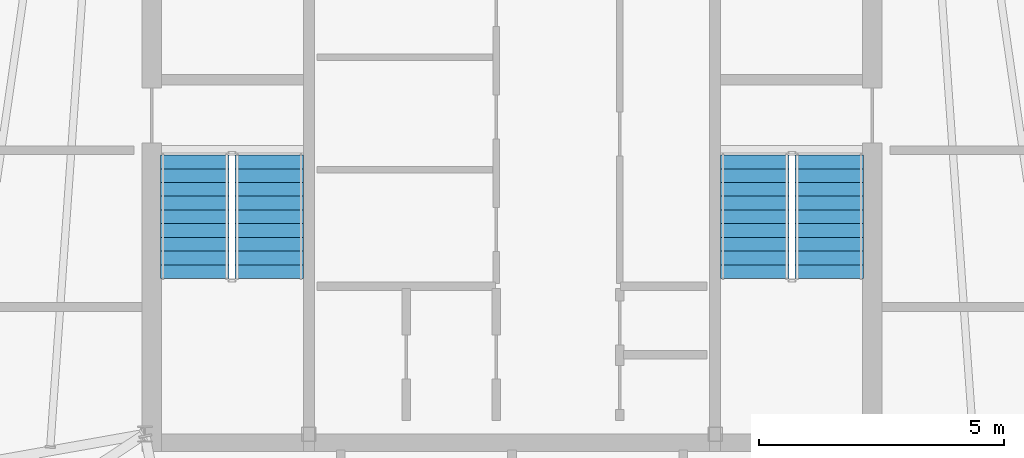
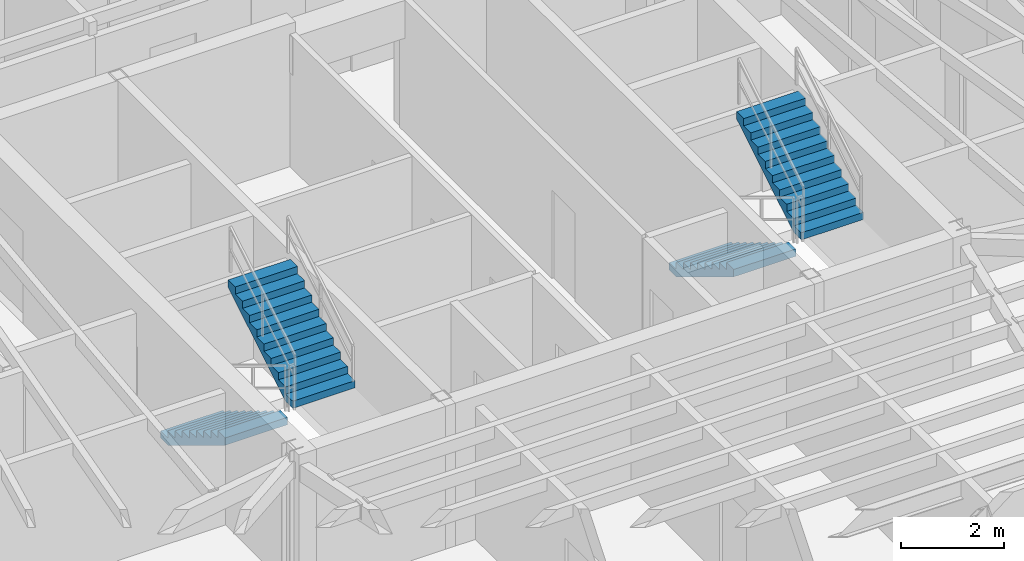
# One storey, part 45 of 48: 4 stair flights, 2 elements without a shape of their own.
"""IFC4 building model written with IfcOpenShell, lengths in metres."""

from ifc_helpers import new_model, si_unit, direction, frame, origin, place, context, subcontext, project, spatial, polyline, outline, extrude, material, type_object, element, aggregate, save


model = new_model("IFC4")

# Units and contexts
model_context = context("Model", 3, precision=1e-05, world=origin(), true_north=direction((0.0, 1.0)))
body_context = subcontext(model_context, "Body", "Model", "MODEL_VIEW")
ifc_project = project(units=[si_unit("LENGTHUNIT", "METRE"), si_unit("AREAUNIT", "SQUARE_METRE"), si_unit("VOLUMEUNIT", "CUBIC_METRE"), si_unit("PLANEANGLEUNIT", "RADIAN"), si_unit("MASSUNIT", "GRAM", prefix="KILO")], contexts=[model_context])

# Site, building, storey
site_placement = place(None, origin())
site = spatial("IfcSite", under=ifc_project, at=site_placement, CompositionType="ELEMENT")
building_placement = place(site_placement, origin())
building = spatial("IfcBuilding", under=site, at=building_placement, Name="Caelisora Broadcast Tower", CompositionType="ELEMENT")
storey_placement = place(building_placement, frame((0.0, 0.0, 300.0)))
storey = spatial("IfcBuildingStorey", under=building, at=storey_placement, Name="L79", CompositionType="ELEMENT", Elevation=300.0)

# Stair, stair flights
ifc_material = material(Name="Concrete 40 MPa (AS 3600 N40)", Category="concrete")
stair_type_1 = type_object("IfcStairType", Name="ST-1", PredefinedType="HALF_TURN_STAIR", material=ifc_material)
stair_1_placement = place(storey_placement, origin())
stair_1 = element("IfcStair", 1, at=stair_1_placement, inside=storey, type_object=stair_type_1, Name="L79 West Fire-Isolated Tower Stair", PredefinedType="HALF_TURN_STAIR")
stair_flight_type = type_object("IfcStairFlightType", Name="STF-4", PredefinedType="STRAIGHT", material=ifc_material)
stair_flight_1_placement = place(storey_placement, frame((31.52001953125, 23.10009765625, 0.0), z_axis=(0.0, 0.0, 1.0), x_axis=(0.0, -1.0, 0.0)))
stair_flight_1 = element("IfcStairFlight", 2, at=stair_flight_1_placement, type_object=stair_flight_type, Name="ST-1 flight 1", NumberOfRisers=10, NumberOfTreads=9, PredefinedType="STRAIGHT", RiserHeight=0.17, TreadLength=0.28, context=body_context, shape_type="SweptSolid", body=[
    extrude(outline(polyline([(0.0, 0.0), (0.0, 0.169921875), (0.280029296875, 0.169921875), (0.280029296875, 0.340087890625), (0.56005859375, 0.340087890625), (0.56005859375, 0.510009765625), (0.840087890625, 0.510009765625), (0.840087890625, 0.679931640625), (1.1201171875, 0.679931640625), (1.1201171875, 0.85009765625), (1.39990234375, 0.85009765625), (1.39990234375, 1.02001953125), (1.679931640625, 1.02001953125), (1.679931640625, 1.18994140625), (1.9599609375, 1.18994140625), (1.9599609375, 1.360107421875), (2.239990234375, 1.360107421875), (2.239990234375, 1.530029296875), (2.52001953125, 1.530029296875), (2.52001953125, 1.699951171875), (2.52001953125, 1.354736328125), (0.288818359375, 0.0), (0.0, 0.0)])), frame((0.0, 0.699951171875, 0.0), z_axis=(0.0, -1.0, 0.0), x_axis=(1.0, 0.0, 0.0)), (0.0, 0.0, 1.0), 1.39990234375),
])
stair_flight_2_placement = place(storey_placement, frame((33.0400390625, 20.580078125, 1.699951171875), z_axis=(0.0, 0.0, 1.0), x_axis=(0.0, 1.0, 0.0)))
stair_flight_2 = element("IfcStairFlight", 3, at=stair_flight_2_placement, type_object=stair_flight_type, Name="ST-1 flight 2", NumberOfRisers=10, NumberOfTreads=9, PredefinedType="STRAIGHT", RiserHeight=0.17, TreadLength=0.28, context=body_context, shape_type="SweptSolid", body=[
    extrude(outline(polyline([(0.0, 0.0), (0.0, 0.169921875), (0.280029296875, 0.169921875), (0.280029296875, 0.340087890625), (0.56005859375, 0.340087890625), (0.56005859375, 0.510009765625), (0.840087890625, 0.510009765625), (0.840087890625, 0.679931640625), (1.1201171875, 0.679931640625), (1.1201171875, 0.85009765625), (1.39990234375, 0.85009765625), (1.39990234375, 1.02001953125), (1.679931640625, 1.02001953125), (1.679931640625, 1.18994140625), (1.9599609375, 1.18994140625), (1.9599609375, 1.360107421875), (2.239990234375, 1.360107421875), (2.239990234375, 1.530029296875), (2.52001953125, 1.530029296875), (2.52001953125, 1.699951171875), (2.52001953125, 1.354736328125), (0.288818359375, 0.0), (0.0, 0.0)])), frame((0.0, 0.699951171875, 0.0), z_axis=(0.0, -1.0, 0.0), x_axis=(1.0, 0.0, 0.0)), (0.0, 0.0, 1.0), 1.39990234375),
])
aggregate(stair_1, [stair_flight_1, stair_flight_2])

stair_type_2 = type_object("IfcStairType", Name="ST-2", PredefinedType="HALF_TURN_STAIR", material=ifc_material)
stair_2_placement = place(storey_placement, origin())
stair_2 = element("IfcStair", 4, at=stair_2_placement, inside=storey, type_object=stair_type_2, Name="L79 East Fire-Isolated Tower Stair", PredefinedType="HALF_TURN_STAIR")
stair_flight_3_placement = place(storey_placement, frame((42.9599609375, 23.10009765625, 0.0), z_axis=(0.0, 0.0, 1.0), x_axis=(0.0, -1.0, 0.0)))
stair_flight_3 = element("IfcStairFlight", 5, at=stair_flight_3_placement, type_object=stair_flight_type, Name="ST-2 flight 1", NumberOfRisers=10, NumberOfTreads=9, PredefinedType="STRAIGHT", RiserHeight=0.17, TreadLength=0.28, context=body_context, shape_type="SweptSolid", body=[
    extrude(outline(polyline([(0.0, 0.0), (0.0, 0.169921875), (0.280029296875, 0.169921875), (0.280029296875, 0.340087890625), (0.56005859375, 0.340087890625), (0.56005859375, 0.510009765625), (0.840087890625, 0.510009765625), (0.840087890625, 0.679931640625), (1.1201171875, 0.679931640625), (1.1201171875, 0.85009765625), (1.39990234375, 0.85009765625), (1.39990234375, 1.02001953125), (1.679931640625, 1.02001953125), (1.679931640625, 1.18994140625), (1.9599609375, 1.18994140625), (1.9599609375, 1.360107421875), (2.239990234375, 1.360107421875), (2.239990234375, 1.530029296875), (2.52001953125, 1.530029296875), (2.52001953125, 1.699951171875), (2.52001953125, 1.354736328125), (0.288818359375, 0.0), (0.0, 0.0)])), frame((0.0, 0.699951171875, 0.0), z_axis=(0.0, -1.0, 0.0), x_axis=(1.0, 0.0, 0.0)), (0.0, 0.0, 1.0), 1.39990234375),
])
stair_flight_4_placement = place(storey_placement, frame((44.47998046875, 20.580078125, 1.699951171875), z_axis=(0.0, 0.0, 1.0), x_axis=(0.0, 1.0, 0.0)))
stair_flight_4 = element("IfcStairFlight", 6, at=stair_flight_4_placement, type_object=stair_flight_type, Name="ST-2 flight 2", NumberOfRisers=10, NumberOfTreads=9, PredefinedType="STRAIGHT", RiserHeight=0.17, TreadLength=0.28, context=body_context, shape_type="SweptSolid", body=[
    extrude(outline(polyline([(0.0, 0.0), (0.0, 0.169921875), (0.280029296875, 0.169921875), (0.280029296875, 0.340087890625), (0.56005859375, 0.340087890625), (0.56005859375, 0.510009765625), (0.840087890625, 0.510009765625), (0.840087890625, 0.679931640625), (1.1201171875, 0.679931640625), (1.1201171875, 0.85009765625), (1.39990234375, 0.85009765625), (1.39990234375, 1.02001953125), (1.679931640625, 1.02001953125), (1.679931640625, 1.18994140625), (1.9599609375, 1.18994140625), (1.9599609375, 1.360107421875), (2.239990234375, 1.360107421875), (2.239990234375, 1.530029296875), (2.52001953125, 1.530029296875), (2.52001953125, 1.699951171875), (2.52001953125, 1.354736328125), (0.288818359375, 0.0), (0.0, 0.0)])), frame((0.0, 0.699951171875, 0.0), z_axis=(0.0, -1.0, 0.0), x_axis=(1.0, 0.0, 0.0)), (0.0, 0.0, 1.0), 1.39990234375),
])
aggregate(stair_2, [stair_flight_3, stair_flight_4])

save(model, "model.ifc")
